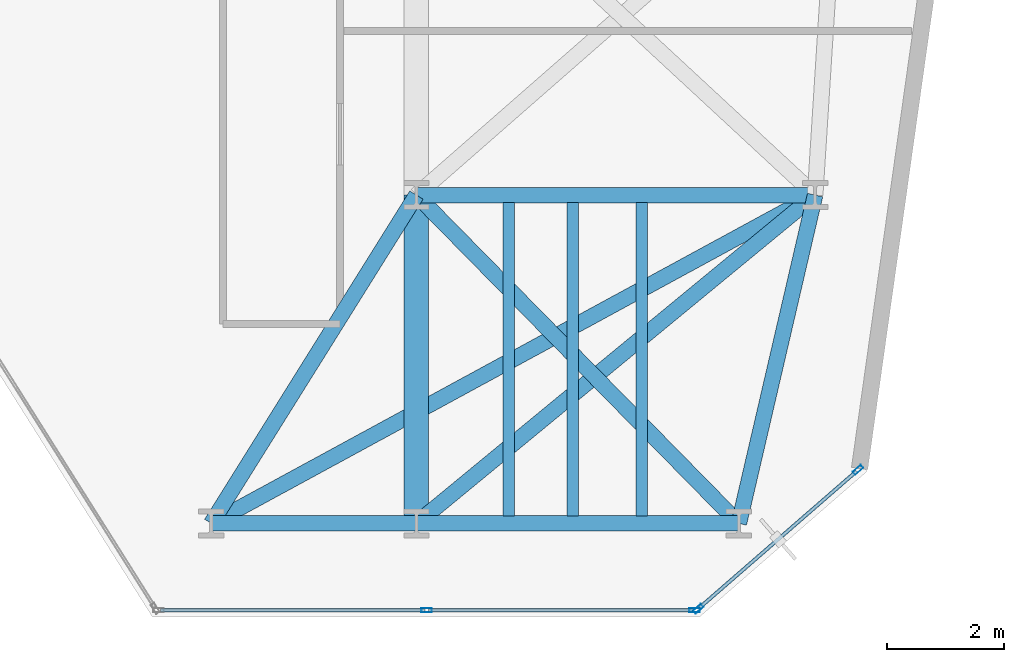
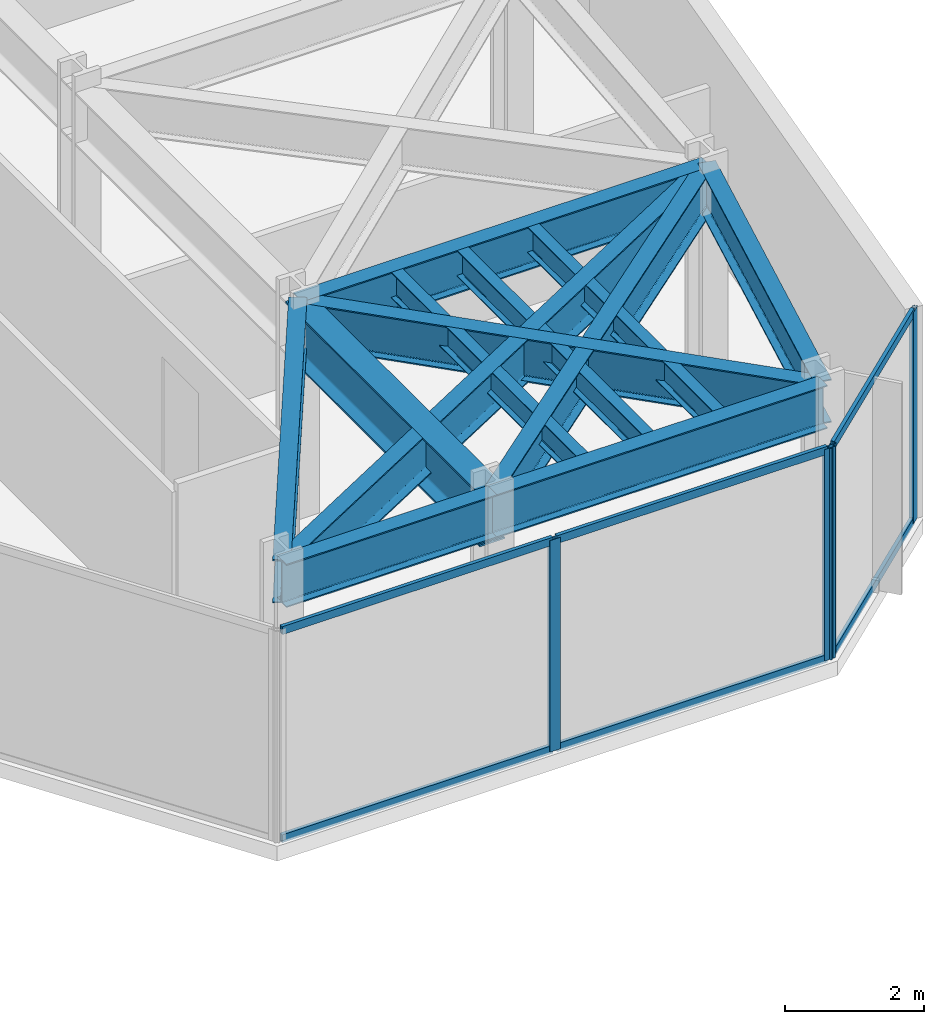
# One storey, part 13 of 25: 12 beams, 10 members, 2 elements without a shape of their own.
"""IFC4 building model written with IfcOpenShell, lengths in metres."""

from ifc_helpers import new_model, si_unit, direction, frame, origin, origin_2d, place, context, subcontext, project, spatial, hollow_rectangle, i_section, extrude, material, layer, layer_set, material_profile, profile_set, type_object, element, aggregate, save


model = new_model("IFC4")

# Units and contexts
model_context = context("Model", 3, precision=1e-05, world=origin(), true_north=direction((0.0, 1.0)))
body_context = subcontext(model_context, "Body", "Model", "MODEL_VIEW")
ifc_project = project(units=[si_unit("LENGTHUNIT", "METRE"), si_unit("AREAUNIT", "SQUARE_METRE"), si_unit("VOLUMEUNIT", "CUBIC_METRE"), si_unit("PLANEANGLEUNIT", "RADIAN"), si_unit("MASSUNIT", "GRAM", prefix="KILO")], contexts=[model_context])

# Site, building, storey
site_placement = place(None, origin())
site = spatial("IfcSite", under=ifc_project, at=site_placement, CompositionType="ELEMENT")
building_placement = place(site_placement, origin())
building = spatial("IfcBuilding", under=site, at=building_placement, Name="Kravanh Interchange Tower", CompositionType="ELEMENT")
storey_placement = place(building_placement, frame((0.0, 0.0, 81.5)))
storey = spatial("IfcBuildingStorey", under=building, at=storey_placement, Name="L19", CompositionType="ELEMENT", Elevation=81.5)

# Curtain wall, members
ifc_material_1 = material(Name="Anodised Bronze Aluminium", Category="aluminium")
ifc_layer = layer(ifc_material_1, 0.179931640625)
ifc_layer_set = layer_set([ifc_layer], Name="Unitised Curtain Wall System CW-Z1 Lower Office")
curtain_wall_type = type_object("IfcCurtainWallType", Name="Unitised Curtain Wall System CW-Z1 Lower Office", PredefinedType="NOTDEFINED", material=ifc_layer_set)
curtain_wall_1_placement = place(storey_placement, origin())
curtain_wall_1 = element("IfcCurtainWall", 1, at=curtain_wall_1_placement, inside=storey, type_object=curtain_wall_type, Name="L19 Unitised Curtain Wall CW-L19-02", PredefinedType="NOTDEFINED")
ifc_material_2 = material(Name="Anodised Bronze Aluminium", Category="aluminium")
ifc_material_profile_1 = material_profile(ifc_material_2, hollow_rectangle(XDim=0.070068359375, YDim=0.179931640625, WallThickness=0.00390625, at=origin_2d()), Name="ALU70X180X4")
ifc_profile_set_1 = profile_set([ifc_material_profile_1], Name="Anodised Bronze Aluminium")
member_type_1 = type_object("IfcMemberType", Name="Curtain Wall Mullion ALU70X180X4 Bronze", PredefinedType="MULLION", material=ifc_profile_set_1)
member_1_placement = place(storey_placement, frame((63.533203125, 3.513916015625, 0.0), z_axis=(0.0, 0.0, 1.0), x_axis=(0.656060422341, -0.754708368999, 0.0)))
member_1 = element("IfcMember", 2, at=member_1_placement, type_object=member_type_1, Name="CW-Z1 mullion 1", PredefinedType="MULLION", context=body_context, shape_type="SweptSolid", body=[
    extrude(hollow_rectangle(XDim=0.070068359375, YDim=0.179931640625, WallThickness=0.00390625, at=origin_2d()), origin(), (0.0, 0.0, 1.0), 3.719970703125),
])
member_2_placement = place(storey_placement, frame((60.805908203125, 1.14306640625, 0.0), z_axis=(0.0, 0.0, 1.0), x_axis=(0.656060422341, -0.754708368999, 0.0)))
member_2 = element("IfcMember", 3, at=member_2_placement, type_object=member_type_1, Name="CW-Z1 mullion 2", PredefinedType="MULLION", context=body_context, shape_type="SweptSolid", body=[
    extrude(hollow_rectangle(XDim=0.070068359375, YDim=0.179931640625, WallThickness=0.00390625, at=origin_2d()), origin(), (0.0, 0.0, 1.0), 3.719970703125),
])

curtain_wall_2_placement = place(storey_placement, origin())
curtain_wall_2 = element("IfcCurtainWall", 4, at=curtain_wall_2_placement, inside=storey, type_object=curtain_wall_type, Name="L19 Unitised Curtain Wall CW-L19-03", PredefinedType="NOTDEFINED")
member_3_placement = place(storey_placement, frame((60.744384765625, 1.1201171875, 0.0), z_axis=(0.0, 0.0, 1.0), x_axis=(0.0, -1.0, 0.0)))
member_3 = element("IfcMember", 5, at=member_3_placement, type_object=member_type_1, Name="CW-Z1 mullion 1", PredefinedType="MULLION", context=body_context, shape_type="SweptSolid", body=[
    extrude(hollow_rectangle(XDim=0.070068359375, YDim=0.179931640625, WallThickness=0.00390625, at=origin_2d()), origin(), (0.0, 0.0, 1.0), 3.719970703125),
])
member_4_placement = place(storey_placement, frame((56.1728515625, 1.1201171875, 0.0), z_axis=(0.0, 0.0, 1.0), x_axis=(0.0, -1.0, 0.0)))
member_4 = element("IfcMember", 6, at=member_4_placement, type_object=member_type_1, Name="CW-Z1 mullion 2", PredefinedType="MULLION", context=body_context, shape_type="SweptSolid", body=[
    extrude(hollow_rectangle(XDim=0.070068359375, YDim=0.179931640625, WallThickness=0.00390625, at=origin_2d()), origin(), (0.0, 0.0, 1.0), 3.719970703125),
])

# Member
ifc_material_3 = material(Name="Anodised Bronze Aluminium", Category="aluminium")
ifc_material_profile_2 = material_profile(ifc_material_3, hollow_rectangle(XDim=0.06005859375, YDim=0.139892578125, WallThickness=0.00390625, at=origin_2d()), Name="ALU60X140X4")
ifc_profile_set_2 = profile_set([ifc_material_profile_2], Name="Anodised Bronze Aluminium")
member_type_2 = type_object("IfcMemberType", Name="Curtain Wall Transom ALU60X140X4 Bronze", PredefinedType="USERDEFINED", material=ifc_profile_set_2)
member_5_placement = place(storey_placement, frame((63.5068359375, 3.490966796875, 0.030029296875), z_axis=(-0.754710815466, -0.656057608004, 0.0), x_axis=(0.656057608004, -0.754710815466, 0.0)))
member_5 = element("IfcMember", 7, at=member_5_placement, type_object=member_type_2, Name="CW-Z1 transom 1.1", ObjectType="TRANSOM", PredefinedType="USERDEFINED", context=body_context, shape_type="SweptSolid", body=[
    extrude(hollow_rectangle(XDim=0.06005859375, YDim=0.139892578125, WallThickness=0.00390625, at=origin_2d()), origin(), (0.0, 0.0, 1.0), 3.543701171875),
])

member_6_placement = place(storey_placement, frame((63.5068359375, 3.490966796875, 3.68994140625), z_axis=(-0.754710815466, -0.656057608004, 0.0), x_axis=(0.656057608004, -0.754710815466, 0.0)))
member_6 = element("IfcMember", 8, at=member_6_placement, type_object=member_type_2, Name="CW-Z1 transom 1.2", ObjectType="TRANSOM", PredefinedType="USERDEFINED", context=body_context, shape_type="SweptSolid", body=[
    extrude(hollow_rectangle(XDim=0.06005859375, YDim=0.139892578125, WallThickness=0.00390625, at=origin_2d()), origin(), (0.0, 0.0, 1.0), 3.543701171875),
])

aggregate(curtain_wall_1, [member_1, member_2, member_5, member_6])

member_7_placement = place(storey_placement, frame((60.70947265625, 1.1201171875, 0.030029296875), z_axis=(-1.0, 0.0, 0.0), x_axis=(0.0, -1.0, 0.0)))
member_7 = element("IfcMember", 9, at=member_7_placement, type_object=member_type_2, Name="CW-Z1 transom 1.1", ObjectType="TRANSOM", PredefinedType="USERDEFINED", context=body_context, shape_type="SweptSolid", body=[
    extrude(hollow_rectangle(XDim=0.06005859375, YDim=0.139892578125, WallThickness=0.00390625, at=origin_2d()), origin(), (0.0, 0.0, 1.0), 4.501708984375),
])

member_8_placement = place(storey_placement, frame((60.70947265625, 1.1201171875, 3.68994140625), z_axis=(-1.0, 0.0, 0.0), x_axis=(0.0, -1.0, 0.0)))
member_8 = element("IfcMember", 10, at=member_8_placement, type_object=member_type_2, Name="CW-Z1 transom 1.2", ObjectType="TRANSOM", PredefinedType="USERDEFINED", context=body_context, shape_type="SweptSolid", body=[
    extrude(hollow_rectangle(XDim=0.06005859375, YDim=0.139892578125, WallThickness=0.00390625, at=origin_2d()), origin(), (0.0, 0.0, 1.0), 4.501708984375),
])

member_9_placement = place(storey_placement, frame((56.1376953125, 1.1201171875, 0.030029296875), z_axis=(-1.0, 0.0, 0.0), x_axis=(0.0, -1.0, 0.0)))
member_9 = element("IfcMember", 11, at=member_9_placement, type_object=member_type_2, Name="CW-Z1 transom 2.1", ObjectType="TRANSOM", PredefinedType="USERDEFINED", context=body_context, shape_type="SweptSolid", body=[
    extrude(hollow_rectangle(XDim=0.06005859375, YDim=0.139892578125, WallThickness=0.00390625, at=origin_2d()), origin(), (0.0, 0.0, 1.0), 4.50146484375),
])

member_10_placement = place(storey_placement, frame((56.1376953125, 1.1201171875, 3.68994140625), z_axis=(-1.0, 0.0, 0.0), x_axis=(0.0, -1.0, 0.0)))
member_10 = element("IfcMember", 12, at=member_10_placement, type_object=member_type_2, Name="CW-Z1 transom 2.2", ObjectType="TRANSOM", PredefinedType="USERDEFINED", context=body_context, shape_type="SweptSolid", body=[
    extrude(hollow_rectangle(XDim=0.06005859375, YDim=0.139892578125, WallThickness=0.00390625, at=origin_2d()), origin(), (0.0, 0.0, 1.0), 4.50146484375),
])

aggregate(curtain_wall_2, [member_3, member_4, member_7, member_8, member_9, member_10])

# Beams
ifc_material_4 = material(Name="Structural Steel S355", Category="steel")
ifc_material_profile_3 = material_profile(ifc_material_4, i_section(OverallWidth=0.41796875, OverallDepth=0.927001953125, WebThickness=0.019287109375, FlangeThickness=0.031982421875, FilletRadius=0.028076171875, at=origin_2d()), Name="W36X231")
ifc_profile_set_3 = profile_set([ifc_material_profile_3], Name="Structural Steel S355")
beam_type_1 = type_object("IfcBeamType", Name="Floor Beam W36X231 Structural Steel S355", PredefinedType="BEAM", material=ifc_profile_set_3)
beam_1_placement = place(storey_placement, frame((56.0, 2.60009765625, 3.256591796875), z_axis=(0.0, 1.0, 0.0), x_axis=(-1.0, 0.0, 0.0)))
element("IfcBeam", 13, at=beam_1_placement, inside=storey, type_object=beam_type_1, Name="L19 Primary Floor Girder 129", PredefinedType="BEAM", context=body_context, shape_type="SweptSolid", body=[
    extrude(i_section(OverallWidth=0.41796875, OverallDepth=0.927001953125, WebThickness=0.019287109375, FlangeThickness=0.031982421875, FilletRadius=0.028076171875, at=origin_2d()), origin(), (0.0, 0.0, 1.0), 5.599853515625),
])
ifc_material_5 = material(Name="Structural Steel S355", Category="steel")
ifc_material_profile_4 = material_profile(ifc_material_5, i_section(OverallWidth=0.18994140625, OverallDepth=0.45703125, WebThickness=0.009033203125, FlangeThickness=0.014404296875, FilletRadius=0.01806640625, at=origin_2d()), Name="W18X50")
ifc_profile_set_4 = profile_set([ifc_material_profile_4], Name="Structural Steel S355")
beam_type_2 = type_object("IfcBeamType", Name="Floor Joist W18X50 Structural Steel S355", PredefinedType="JOIST", material=ifc_profile_set_4)
for number, where, z_axis, x_axis, name in (
    (14, (57.573974609375, 2.728515625, 3.491455078125), (0.0, 1.0, 0.0), (-1.0, 0.0, 0.0), "L19 Secondary Floor Joist 7"),
    (15, (58.666015625, 2.728515625, 3.491455078125), (0.0, 1.0, 0.0), (-1.0, 0.0, 0.0), "L19 Secondary Floor Joist 8"),
    (16, (59.842041015625, 2.728515625, 3.491455078125), (0.0, 1.0, 0.0), (-1.0, 0.0, 0.0), "L19 Secondary Floor Joist 9"),
):
    element("IfcBeam", number, at=place(storey_placement, frame(where, z_axis=z_axis, x_axis=x_axis)), inside=storey, type_object=beam_type_2, Name=name, PredefinedType="JOIST", context=body_context, shape_type="SweptSolid", body=[
        extrude(i_section(OverallWidth=0.18994140625, OverallDepth=0.45703125, WebThickness=0.009033203125, FlangeThickness=0.014404296875, FilletRadius=0.01806640625, at=origin_2d()), origin(), (0.0, 0.0, 1.0), 5.343017578125),
    ])
ifc_material_6 = material(Name="Structural Steel S355", Category="steel")
ifc_material_profile_5 = material_profile(ifc_material_6, i_section(OverallWidth=0.26708984375, OverallDepth=0.761962890625, WebThickness=0.014404296875, FlangeThickness=0.021484375, FilletRadius=0.02490234375, at=origin_2d()), Name="W30X116")
ifc_profile_set_5 = profile_set([ifc_material_profile_5], Name="Structural Steel S355")
beam_type_3 = type_object("IfcBeamType", Name="Floor Spandrel W30X116 Structural Steel S355", PredefinedType="SPANDREL", material=ifc_profile_set_5)
beam_2_placement = place(storey_placement, frame((52.5, 2.60009765625, 3.339111328125), z_axis=(1.0, 0.0, 0.0), x_axis=(0.0, 1.0, 0.0)))
element("IfcBeam", 17, at=beam_2_placement, inside=storey, type_object=beam_type_3, Name="L19 Perimeter Spandrel 125", PredefinedType="SPANDREL", context=body_context, shape_type="SweptSolid", body=[
    extrude(i_section(OverallWidth=0.26708984375, OverallDepth=0.761962890625, WebThickness=0.014404296875, FlangeThickness=0.021484375, FilletRadius=0.02490234375, at=origin_2d()), origin(), (0.0, 0.0, 1.0), 3.5),
])
beam_3_placement = place(storey_placement, frame((52.5, 2.60009765625, 3.339111328125), z_axis=(0.530008909536, 0.847992072965, 0.0), x_axis=(-0.847992072965, 0.530008909536, 0.0)))
element("IfcBeam", 18, at=beam_3_placement, inside=storey, type_object=beam_type_3, Name="L19 Perimeter Spandrel 126", PredefinedType="SPANDREL", context=body_context, shape_type="SweptSolid", body=[
    extrude(i_section(OverallWidth=0.26708984375, OverallDepth=0.761962890625, WebThickness=0.014404296875, FlangeThickness=0.021484375, FilletRadius=0.02490234375, at=origin_2d()), origin(), (0.0, 0.0, 1.0), 6.603759765625),
])
beam_4_placement = place(storey_placement, frame((52.5, 2.60009765625, 3.339111328125), z_axis=(0.878552895081, 0.47764506754, 0.0), x_axis=(-0.47764506754, 0.878552895081, 0.0)))
element("IfcBeam", 19, at=beam_4_placement, inside=storey, type_object=beam_type_3, Name="L19 Perimeter Spandrel 127", PredefinedType="SPANDREL", context=body_context, shape_type="SweptSolid", body=[
    extrude(i_section(OverallWidth=0.26708984375, OverallDepth=0.761962890625, WebThickness=0.014404296875, FlangeThickness=0.021484375, FilletRadius=0.02490234375, at=origin_2d()), origin(), (0.0, 0.0, 1.0), 11.723876953125),
])
beam_5_placement = place(storey_placement, frame((56.0, 2.60009765625, 3.339111328125), z_axis=(1.0, 0.0, 0.0), x_axis=(0.0, 1.0, 0.0)))
element("IfcBeam", 20, at=beam_5_placement, inside=storey, type_object=beam_type_3, Name="L19 Perimeter Spandrel 128", PredefinedType="SPANDREL", context=body_context, shape_type="SweptSolid", body=[
    extrude(i_section(OverallWidth=0.26708984375, OverallDepth=0.761962890625, WebThickness=0.014404296875, FlangeThickness=0.021484375, FilletRadius=0.02490234375, at=origin_2d()), origin(), (0.0, 0.0, 1.0), 5.5),
])
beam_6_placement = place(storey_placement, frame((56.0, 2.60009765625, 3.339111328125), z_axis=(0.771940635711, 0.635694623965, 0.0), x_axis=(-0.635694623965, 0.771940635711, 0.0)))
element("IfcBeam", 21, at=beam_6_placement, inside=storey, type_object=beam_type_3, Name="L19 Perimeter Spandrel 130", PredefinedType="SPANDREL", context=body_context, shape_type="SweptSolid", body=[
    extrude(i_section(OverallWidth=0.26708984375, OverallDepth=0.761962890625, WebThickness=0.014404296875, FlangeThickness=0.021484375, FilletRadius=0.02490234375, at=origin_2d()), origin(), (0.0, 0.0, 1.0), 8.80908203125),
])
beam_7_placement = place(storey_placement, frame((61.5, 2.60009765625, 3.339111328125), z_axis=(0.226143379252, 0.974094026273, 0.0), x_axis=(-0.974094026273, 0.226143379252, 0.0)))
element("IfcBeam", 22, at=beam_7_placement, inside=storey, type_object=beam_type_3, Name="L19 Perimeter Spandrel 131", PredefinedType="SPANDREL", context=body_context, shape_type="SweptSolid", body=[
    extrude(i_section(OverallWidth=0.26708984375, OverallDepth=0.761962890625, WebThickness=0.014404296875, FlangeThickness=0.021484375, FilletRadius=0.02490234375, at=origin_2d()), origin(), (0.0, 0.0, 1.0), 5.748779296875),
])
beam_8_placement = place(storey_placement, frame((61.5, 2.60009765625, 3.339111328125), z_axis=(-0.700717344595, 0.71343899738, 0.0), x_axis=(-0.71343899738, -0.700717344595, 0.0)))
element("IfcBeam", 23, at=beam_8_placement, inside=storey, type_object=beam_type_3, Name="L19 Perimeter Spandrel 132", PredefinedType="SPANDREL", context=body_context, shape_type="SweptSolid", body=[
    extrude(i_section(OverallWidth=0.26708984375, OverallDepth=0.761962890625, WebThickness=0.014404296875, FlangeThickness=0.021484375, FilletRadius=0.02490234375, at=origin_2d()), origin(), (0.0, 0.0, 1.0), 7.84912109375),
])
beam_9_placement = place(storey_placement, frame((56.0, 8.199951171875, 3.339111328125), z_axis=(1.0, 0.0, 0.0), x_axis=(0.0, 1.0, 0.0)))
element("IfcBeam", 24, at=beam_9_placement, inside=storey, type_object=beam_type_3, Name="L19 Perimeter Spandrel 142", PredefinedType="SPANDREL", context=body_context, shape_type="SweptSolid", body=[
    extrude(i_section(OverallWidth=0.26708984375, OverallDepth=0.761962890625, WebThickness=0.014404296875, FlangeThickness=0.021484375, FilletRadius=0.02490234375, at=origin_2d()), origin(), (0.0, 0.0, 1.0), 6.800048828125),
])

save(model, "model.ifc")
